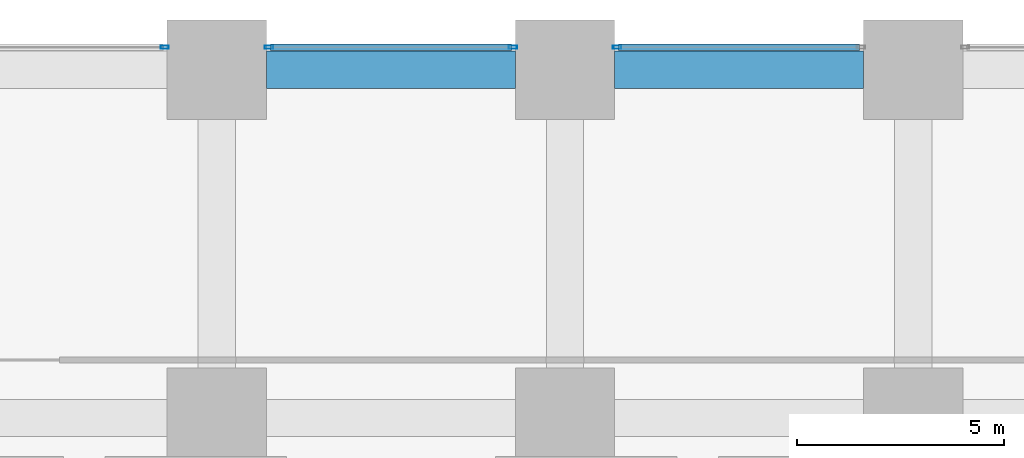
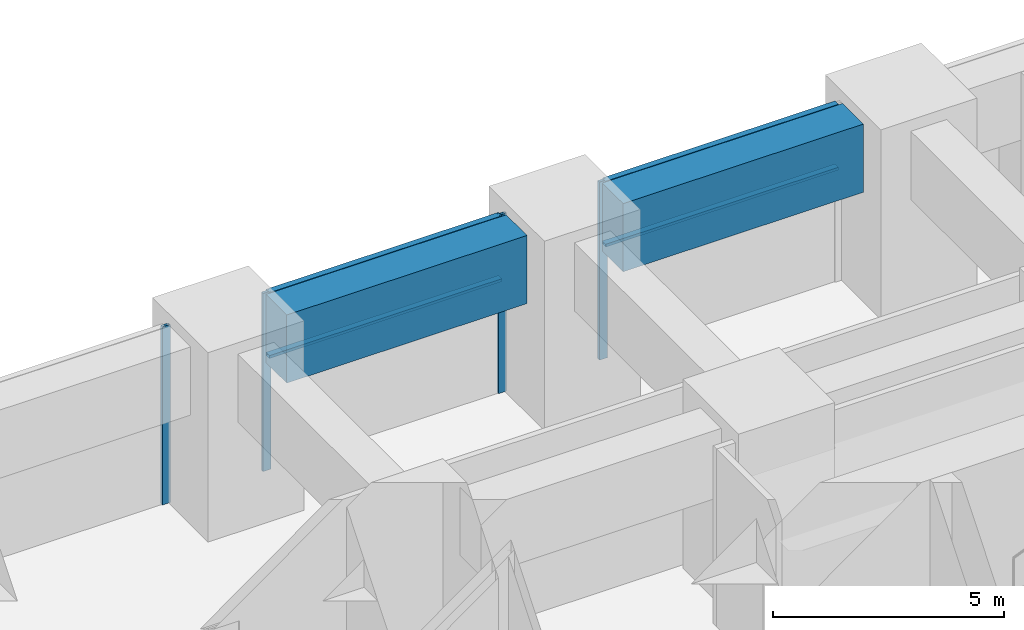
# One storey, part 27 of 49: 8 members, 2 beams, 3 elements without a shape of their own.
"""IFC4 building model written with IfcOpenShell, lengths in metres."""

from ifc_helpers import new_model, si_unit, direction, frame, origin, origin_2d, place, context, subcontext, project, spatial, rectangle, hollow_rectangle, extrude, material, material_profile, profile_set, type_object, element, aggregate, save


model = new_model("IFC4")

# Units and contexts
model_context = context("Model", 3, precision=1e-05, world=origin(), true_north=direction((0.0, 1.0)))
body_context = subcontext(model_context, "Body", "Model", "MODEL_VIEW")
ifc_project = project(units=[si_unit("LENGTHUNIT", "METRE"), si_unit("AREAUNIT", "SQUARE_METRE"), si_unit("VOLUMEUNIT", "CUBIC_METRE"), si_unit("PLANEANGLEUNIT", "RADIAN"), si_unit("MASSUNIT", "GRAM", prefix="KILO")], contexts=[model_context])

# Site, building, storey
site_placement = place(None, origin())
site = spatial("IfcSite", under=ifc_project, at=site_placement, CompositionType="ELEMENT")
building_placement = place(site_placement, origin())
building = spatial("IfcBuilding", under=site, at=building_placement, Name="Rekha Terrace Tower", CompositionType="ELEMENT")
storey_placement = place(building_placement, frame((0.0, 0.0, 10.39990234375)))
storey = spatial("IfcBuildingStorey", under=building, at=storey_placement, Name="L02", CompositionType="ELEMENT", Elevation=10.39990234375)

# Curtain wall, member
ifc_material_1 = material(Name="Aluminium framing", Category="aluminium")
curtain_wall_type = type_object("IfcCurtainWallType", Name="CW4 podium shopfront glazing", PredefinedType="USERDEFINED", material=ifc_material_1)
curtain_wall_1_placement = place(storey_placement, origin())
curtain_wall_1 = element("IfcCurtainWall", 1, at=curtain_wall_1_placement, inside=storey, type_object=curtain_wall_type, Name="CW4 shopfront curtain wall", ObjectType="SHOPFRONT CURTAIN WALL", PredefinedType="USERDEFINED")
ifc_material_2 = material(Name="Aluminium mullion section", Category="aluminium")
ifc_material_profile_1 = material_profile(ifc_material_2, hollow_rectangle(XDim=0.074951171875, YDim=0.199951171875, WallThickness=0.00390625, at=origin_2d()), Name="AL RHS 75x200")
ifc_profile_set_1 = profile_set([ifc_material_profile_1], Name="Aluminium mullion section")
member_type_1 = type_object("IfcMemberType", Name="CW4 mullion RHS 75 x 200", PredefinedType="MULLION", material=ifc_profile_set_1)
member_1_placement = place(storey_placement, frame((43.257568359375, 59.340087890625, 0.0), z_axis=(0.0, 0.0, 1.0), x_axis=(0.0, -1.0, 0.0)))
member_1 = element("IfcMember", 2, at=member_1_placement, type_object=member_type_1, Name="CW4 mullion 2", PredefinedType="MULLION", context=body_context, shape_type="SweptSolid", body=[
    extrude(hollow_rectangle(XDim=0.074951171875, YDim=0.199951171875, WallThickness=0.00390625, at=origin_2d()), origin(), (0.0, 0.0, 1.0), 4.7001953125),
])

# Curtain wall, members
curtain_wall_2_placement = place(storey_placement, origin())
curtain_wall_2 = element("IfcCurtainWall", 3, at=curtain_wall_2_placement, inside=storey, type_object=curtain_wall_type, Name="CW4 shopfront curtain wall", ObjectType="SHOPFRONT CURTAIN WALL", PredefinedType="USERDEFINED")
member_2_placement = place(storey_placement, frame((40.742431640625, 59.340087890625, 0.0), z_axis=(0.0, 0.0, 1.0), x_axis=(0.0, -1.0, 0.0)))
member_2 = element("IfcMember", 4, at=member_2_placement, type_object=member_type_1, Name="CW4 mullion 1", PredefinedType="MULLION", context=body_context, shape_type="SweptSolid", body=[
    extrude(hollow_rectangle(XDim=0.074951171875, YDim=0.199951171875, WallThickness=0.00390625, at=origin_2d()), origin(), (0.0, 0.0, 1.0), 4.7001953125),
])
member_3_placement = place(storey_placement, frame((34.857421875, 59.340087890625, 0.0), z_axis=(0.0, 0.0, 1.0), x_axis=(0.0, -1.0, 0.0)))
member_3 = element("IfcMember", 5, at=member_3_placement, type_object=member_type_1, Name="CW4 mullion 2", PredefinedType="MULLION", context=body_context, shape_type="SweptSolid", body=[
    extrude(hollow_rectangle(XDim=0.074951171875, YDim=0.199951171875, WallThickness=0.00390625, at=origin_2d()), origin(), (0.0, 0.0, 1.0), 4.7001953125),
])

# Curtain wall, member
curtain_wall_3_placement = place(storey_placement, origin())
curtain_wall_3 = element("IfcCurtainWall", 6, at=curtain_wall_3_placement, inside=storey, type_object=curtain_wall_type, Name="CW4 shopfront curtain wall", ObjectType="SHOPFRONT CURTAIN WALL", PredefinedType="USERDEFINED")
member_4_placement = place(storey_placement, frame((32.342529296875, 59.340087890625, 0.0), z_axis=(0.0, 0.0, 1.0), x_axis=(0.0, -1.0, 0.0)))
member_4 = element("IfcMember", 7, at=member_4_placement, type_object=member_type_1, Name="CW4 mullion 1", PredefinedType="MULLION", context=body_context, shape_type="SweptSolid", body=[
    extrude(hollow_rectangle(XDim=0.074951171875, YDim=0.199951171875, WallThickness=0.00390625, at=origin_2d()), origin(), (0.0, 0.0, 1.0), 4.7001953125),
])
aggregate(curtain_wall_3, [member_4])

# Member
ifc_material_3 = material(Name="Aluminium transom section", Category="aluminium")
ifc_material_profile_2 = material_profile(ifc_material_3, hollow_rectangle(XDim=0.14990234375, YDim=0.074951171875, WallThickness=0.0029296875, at=origin_2d()), Name="AL RHS 150x75")
ifc_profile_set_2 = profile_set([ifc_material_profile_2], Name="Aluminium transom section")
member_type_2 = type_object("IfcMemberType", Name="CW4 transom RHS 75 x 150", PredefinedType="USERDEFINED", material=ifc_profile_set_2)
member_5_placement = place(storey_placement, frame((49.10498046875, 59.340087890625, 3.0), z_axis=(-1.0, 0.0, 0.0), x_axis=(0.0, -1.0, 0.0)))
member_5 = element("IfcMember", 8, at=member_5_placement, type_object=member_type_2, Name="CW4 transom 1.2", ObjectType="TRANSOM", PredefinedType="USERDEFINED", context=body_context, shape_type="SweptSolid", body=[
    extrude(hollow_rectangle(XDim=0.14990234375, YDim=0.074951171875, WallThickness=0.0029296875, at=origin_2d()), origin(), (0.0, 0.0, 1.0), 5.81005859375),
])

member_6_placement = place(storey_placement, frame((49.10498046875, 59.340087890625, 4.66259765625), z_axis=(-1.0, 0.0, 0.0), x_axis=(0.0, -1.0, 0.0)))
member_6 = element("IfcMember", 9, at=member_6_placement, type_object=member_type_2, Name="CW4 transom 1.3", ObjectType="TRANSOM", PredefinedType="USERDEFINED", context=body_context, shape_type="SweptSolid", body=[
    extrude(hollow_rectangle(XDim=0.14990234375, YDim=0.074951171875, WallThickness=0.0029296875, at=origin_2d()), origin(), (0.0, 0.0, 1.0), 5.81005859375),
])

aggregate(curtain_wall_1, [member_1, member_5, member_6])

member_7_placement = place(storey_placement, frame((40.705078125, 59.340087890625, 3.0), z_axis=(-1.0, 0.0, 0.0), x_axis=(0.0, -1.0, 0.0)))
member_7 = element("IfcMember", 10, at=member_7_placement, type_object=member_type_2, Name="CW4 transom 1.2", ObjectType="TRANSOM", PredefinedType="USERDEFINED", context=body_context, shape_type="SweptSolid", body=[
    extrude(hollow_rectangle(XDim=0.14990234375, YDim=0.074951171875, WallThickness=0.0029296875, at=origin_2d()), origin(), (0.0, 0.0, 1.0), 5.81005859375),
])

member_8_placement = place(storey_placement, frame((40.705078125, 59.340087890625, 4.66259765625), z_axis=(-1.0, 0.0, 0.0), x_axis=(0.0, -1.0, 0.0)))
member_8 = element("IfcMember", 11, at=member_8_placement, type_object=member_type_2, Name="CW4 transom 1.3", ObjectType="TRANSOM", PredefinedType="USERDEFINED", context=body_context, shape_type="SweptSolid", body=[
    extrude(hollow_rectangle(XDim=0.14990234375, YDim=0.074951171875, WallThickness=0.0029296875, at=origin_2d()), origin(), (0.0, 0.0, 1.0), 5.81005859375),
])

aggregate(curtain_wall_2, [member_2, member_3, member_7, member_8])

# Beams
ifc_material_4 = material(Name="Concrete M60", Category="concrete")
ifc_material_profile_3 = material_profile(ifc_material_4, rectangle(XDim=0.89990234375, YDim=1.800048828125, at=origin_2d()), Name="RC 900x1800")
ifc_profile_set_3 = profile_set([ifc_material_profile_3], Name="Concrete M60")
beam_type = type_object("IfcBeamType", Name="G1 900x1800 podium floor beam", PredefinedType="BEAM", material=ifc_profile_set_3)
for number, where, z_axis, x_axis, name in (
    (12, (34.800048828125, 58.800048828125, 3.800048828125), (1.0, 0.0, 0.0), (0.0, 1.0, 0.0), "Beam G1 5H-6H under L03"),
    (13, (43.199951171875, 58.800048828125, 3.800048828125), (1.0, 0.0, 0.0), (0.0, 1.0, 0.0), "Beam G1 6H-7H under L03"),
):
    element("IfcBeam", number, at=place(storey_placement, frame(where, z_axis=z_axis, x_axis=x_axis)), inside=storey, type_object=beam_type, Name=name, PredefinedType="BEAM", context=body_context, shape_type="SweptSolid", body=[
        extrude(rectangle(XDim=0.89990234375, YDim=1.800048828125, at=origin_2d()), origin(), (0.0, 0.0, 1.0), 6.0),
    ])

save(model, "model.ifc")
